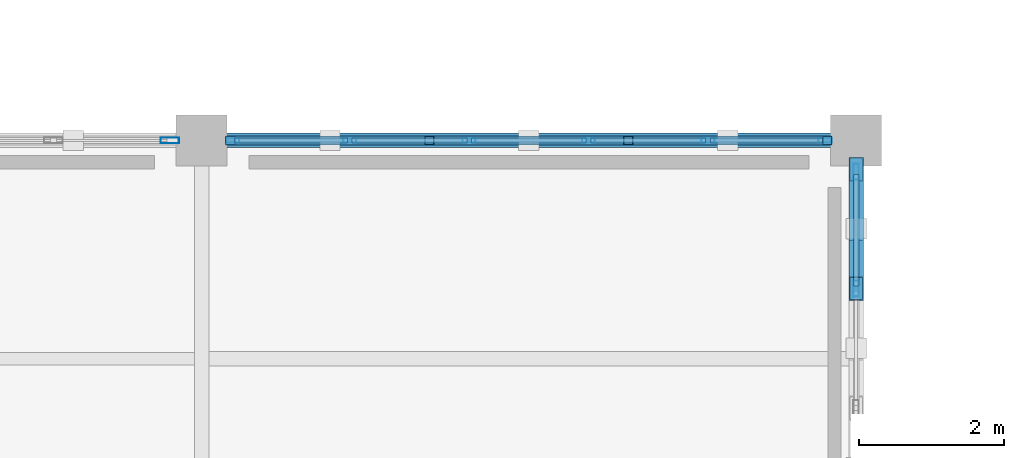
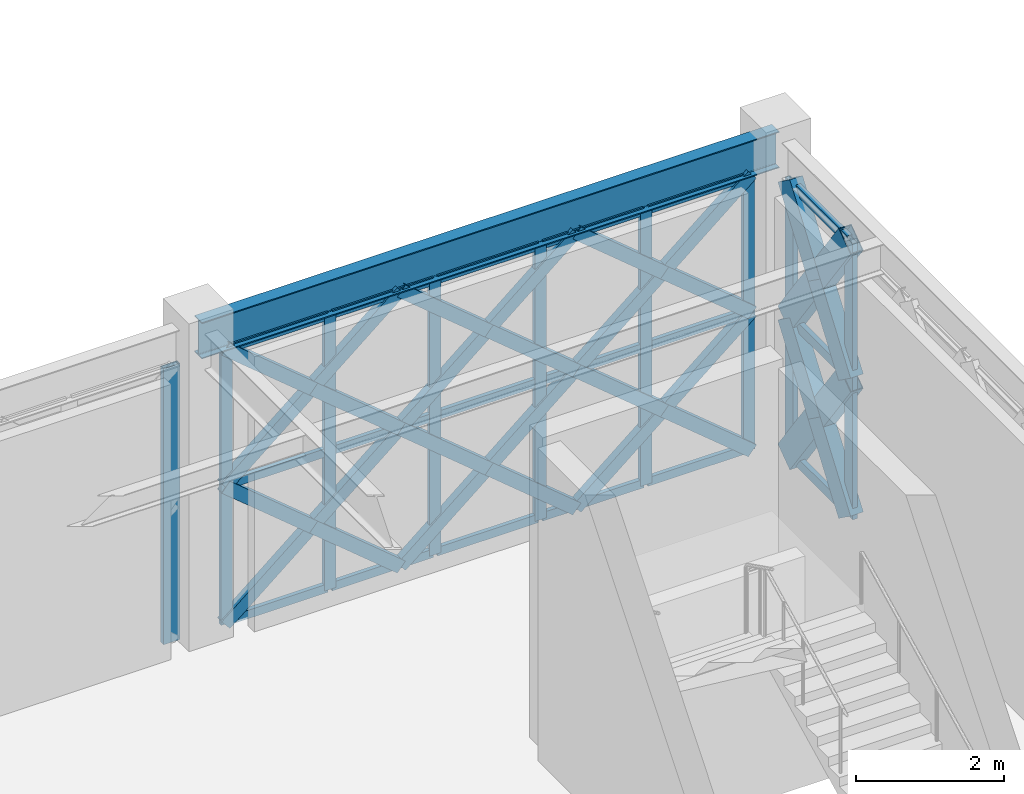
# One storey, part 17 of 72: 51 members, 1 beam, 3 elements without a shape of their own.
"""IFC4 building model written with IfcOpenShell, lengths in metres."""

from ifc_helpers import new_model, si_unit, direction, frame, origin, origin_2d, place, context, subcontext, project, spatial, hollow_rectangle, i_section, extrude, material, material_profile, profile_set, type_object, element, aggregate, save


model = new_model("IFC4")

# Units and contexts
model_context = context("Model", 3, precision=1e-05, world=origin(), true_north=direction((0.0, 1.0)))
body_context = subcontext(model_context, "Body", "Model", "MODEL_VIEW")
ifc_project = project(units=[si_unit("LENGTHUNIT", "METRE"), si_unit("AREAUNIT", "SQUARE_METRE"), si_unit("VOLUMEUNIT", "CUBIC_METRE"), si_unit("PLANEANGLEUNIT", "RADIAN"), si_unit("MASSUNIT", "GRAM", prefix="KILO")], contexts=[model_context])

# Site, building, storey
site_placement = place(None, origin())
site = spatial("IfcSite", under=ifc_project, at=site_placement, CompositionType="ELEMENT")
building_placement = place(site_placement, origin())
building = spatial("IfcBuilding", under=site, at=building_placement, Name="Haizhuo Lancet Aquarium", CompositionType="ELEMENT")
storey_placement = place(building_placement, frame((0.0, 0.0, 21.60009765625)))
storey = spatial("IfcBuildingStorey", under=building, at=storey_placement, Name="L04", CompositionType="ELEMENT", Elevation=21.60009765625)

# Beam
ifc_material_1 = material(Name="Steel S355", Category="steel")
ifc_material_profile_1 = material_profile(ifc_material_1, i_section(OverallWidth=0.199951171875, OverallDepth=0.60009765625, WebThickness=0.010986328125, FlangeThickness=0.01708984375, FilletRadius=0.02197265625, at=origin_2d()), Name="HN 600x200x11x17")
ifc_profile_set_1 = profile_set([ifc_material_profile_1], Name="Steel S355")
beam_type = type_object("IfcBeamType", Name="BM-ST-HN600", PredefinedType="BEAM", material=ifc_profile_set_1)
beam_placement = place(storey_placement, frame((-45.0, -9.0, 4.849853515625), z_axis=(1.0, 0.0, 0.0), x_axis=(0.0, 1.0, 0.0)))
element("IfcBeam", 1, at=beam_placement, inside=storey, type_object=beam_type, Name="L04 V6 primary girder BM-L04-V6-022", PredefinedType="BEAM", context=body_context, shape_type="SweptSolid", body=[
    extrude(i_section(OverallWidth=0.199951171875, OverallDepth=0.60009765625, WebThickness=0.010986328125, FlangeThickness=0.01708984375, FilletRadius=0.02197265625, at=origin_2d()), origin(), (0.0, 0.0, 1.0), 9.0),
])

# Curtain wall, members
ifc_material_2 = material(Name="Aluminium 6063-T6", Category="aluminium")
curtain_wall_type_1 = type_object("IfcCurtainWallType", Name="CWO-8210x4550", PredefinedType="NOTDEFINED", material=ifc_material_2)
curtain_wall_1_placement = place(storey_placement, origin())
curtain_wall_1 = element("IfcCurtainWall", 2, at=curtain_wall_1_placement, inside=storey, type_object=curtain_wall_type_1, Name="L04 curtain wall CW-V6-L04-250", PredefinedType="NOTDEFINED")
ifc_material_profile_2 = material_profile(ifc_material_2, hollow_rectangle(XDim=0.06494140625, YDim=0.179931640625, WallThickness=0.00390625, at=origin_2d()), Name="ALU-M 65x180x4")
ifc_profile_set_2 = profile_set([ifc_material_profile_2], Name="Aluminium 6063-T6")
member_type_1 = type_object("IfcMemberType", Name="CW-MUL-1", PredefinedType="MULLION", material=ifc_profile_set_2)
member_1_placement = place(storey_placement, frame((-44.572021484375, -9.0, 0.0), z_axis=(0.0, 0.0, 1.0), x_axis=(0.0, 1.0, 0.0)))
member_1 = element("IfcMember", 3, at=member_1_placement, type_object=member_type_1, Name="CWO-82x45 mullion 1", PredefinedType="MULLION", context=body_context, shape_type="SweptSolid", body=[
    extrude(hollow_rectangle(XDim=0.06494140625, YDim=0.179931640625, WallThickness=0.00390625, at=origin_2d()), origin(), (0.0, 0.0, 1.0), 4.5498046875),
])
member_2_placement = place(storey_placement, frame((-42.962890625, -9.0, 0.0), z_axis=(0.0, 0.0, 1.0), x_axis=(0.0, 1.0, 0.0)))
member_2 = element("IfcMember", 4, at=member_2_placement, type_object=member_type_1, Name="CWO-82x45 mullion 2", PredefinedType="MULLION", context=body_context, shape_type="SweptSolid", body=[
    extrude(hollow_rectangle(XDim=0.06494140625, YDim=0.179931640625, WallThickness=0.00390625, at=origin_2d()), origin(), (0.0, 0.0, 1.0), 4.5498046875),
])
member_3_placement = place(storey_placement, frame((-41.321044921875, -9.0, 0.0), z_axis=(0.0, 0.0, 1.0), x_axis=(0.0, 1.0, 0.0)))
member_3 = element("IfcMember", 5, at=member_3_placement, type_object=member_type_1, Name="CWO-82x45 mullion 3", PredefinedType="MULLION", context=body_context, shape_type="SweptSolid", body=[
    extrude(hollow_rectangle(XDim=0.06494140625, YDim=0.179931640625, WallThickness=0.00390625, at=origin_2d()), origin(), (0.0, 0.0, 1.0), 4.5498046875),
])
member_4_placement = place(storey_placement, frame((-39.678955078125, -9.0, 0.0), z_axis=(0.0, 0.0, 1.0), x_axis=(0.0, 1.0, 0.0)))
member_4 = element("IfcMember", 6, at=member_4_placement, type_object=member_type_1, Name="CWO-82x45 mullion 4", PredefinedType="MULLION", context=body_context, shape_type="SweptSolid", body=[
    extrude(hollow_rectangle(XDim=0.06494140625, YDim=0.179931640625, WallThickness=0.00390625, at=origin_2d()), origin(), (0.0, 0.0, 1.0), 4.5498046875),
])
member_5_placement = place(storey_placement, frame((-38.037109375, -9.0, 0.0), z_axis=(0.0, 0.0, 1.0), x_axis=(0.0, 1.0, 0.0)))
member_5 = element("IfcMember", 7, at=member_5_placement, type_object=member_type_1, Name="CWO-82x45 mullion 5", PredefinedType="MULLION", context=body_context, shape_type="SweptSolid", body=[
    extrude(hollow_rectangle(XDim=0.06494140625, YDim=0.179931640625, WallThickness=0.00390625, at=origin_2d()), origin(), (0.0, 0.0, 1.0), 4.5498046875),
])
member_6_placement = place(storey_placement, frame((-36.427978515625, -9.0, 0.0), z_axis=(0.0, 0.0, 1.0), x_axis=(0.0, 1.0, 0.0)))
member_6 = element("IfcMember", 8, at=member_6_placement, type_object=member_type_1, Name="CWO-82x45 mullion 6", PredefinedType="MULLION", context=body_context, shape_type="SweptSolid", body=[
    extrude(hollow_rectangle(XDim=0.06494140625, YDim=0.179931640625, WallThickness=0.00390625, at=origin_2d()), origin(), (0.0, 0.0, 1.0), 4.5498046875),
])

curtain_wall_type_2 = type_object("IfcCurtainWallType", Name="CWD-8210x4550", PredefinedType="NOTDEFINED", material=ifc_material_2)
curtain_wall_2_placement = place(storey_placement, origin())
curtain_wall_2 = element("IfcCurtainWall", 9, at=curtain_wall_2_placement, inside=storey, type_object=curtain_wall_type_2, Name="L04 curtain wall CW-V6-L04-251", PredefinedType="NOTDEFINED")
ifc_material_profile_3 = material_profile(ifc_material_2, hollow_rectangle(XDim=0.074951171875, YDim=0.219970703125, WallThickness=0.0048828125, at=origin_2d()), Name="ALU-M 75x220x5")
ifc_profile_set_3 = profile_set([ifc_material_profile_3], Name="Aluminium 6063-T6")
member_type_2 = type_object("IfcMemberType", Name="CW-MUL-2", PredefinedType="MULLION", material=ifc_profile_set_3)
member_7_placement = place(storey_placement, frame((-36.0, -9.431884765625, 0.0), z_axis=(0.0, 0.0, 1.0), x_axis=(1.0, 0.0, 0.0)))
member_7 = element("IfcMember", 10, at=member_7_placement, type_object=member_type_2, Name="CWD-82x45 mullion 1", PredefinedType="MULLION", context=body_context, shape_type="SweptSolid", body=[
    extrude(hollow_rectangle(XDim=0.074951171875, YDim=0.219970703125, WallThickness=0.0048828125, at=origin_2d()), origin(), (0.0, 0.0, 1.0), 4.5498046875),
])
member_8_placement = place(storey_placement, frame((-36.0, -11.037109375, 0.0), z_axis=(0.0, 0.0, 1.0), x_axis=(1.0, 0.0, 0.0)))
member_8 = element("IfcMember", 11, at=member_8_placement, type_object=member_type_2, Name="CWD-82x45 mullion 2", PredefinedType="MULLION", context=body_context, shape_type="SweptSolid", body=[
    extrude(hollow_rectangle(XDim=0.074951171875, YDim=0.219970703125, WallThickness=0.0048828125, at=origin_2d()), origin(), (0.0, 0.0, 1.0), 4.5498046875),
])

# Curtain wall, member
curtain_wall_3_placement = place(storey_placement, origin())
curtain_wall_3 = element("IfcCurtainWall", 12, at=curtain_wall_3_placement, inside=storey, type_object=curtain_wall_type_1, Name="L04 curtain wall CW-V6-L04-249", PredefinedType="NOTDEFINED")
ifc_material_profile_4 = material_profile(ifc_material_2, hollow_rectangle(XDim=0.080078125, YDim=0.260009765625, WallThickness=0.0048828125, at=origin_2d()), Name="ALU-M 80x260x5")
ifc_profile_set_4 = profile_set([ifc_material_profile_4], Name="Aluminium 6063-T6")
member_type_3 = type_object("IfcMemberType", Name="CW-MUL-3", PredefinedType="MULLION", material=ifc_profile_set_4)
member_9_placement = place(storey_placement, frame((-45.43505859375, -9.0, 0.0), z_axis=(0.0, 0.0, 1.0), x_axis=(0.0, 1.0, 0.0)))
member_9 = element("IfcMember", 13, at=member_9_placement, type_object=member_type_3, Name="CWO-82x45 mullion 6", PredefinedType="MULLION", context=body_context, shape_type="SweptSolid", body=[
    extrude(hollow_rectangle(XDim=0.080078125, YDim=0.260009765625, WallThickness=0.0048828125, at=origin_2d()), origin(), (0.0, 0.0, 1.0), 4.5498046875),
])
aggregate(curtain_wall_3, [member_9])

# Member
ifc_material_profile_5 = material_profile(ifc_material_2, hollow_rectangle(XDim=0.06494140625, YDim=0.139892578125, WallThickness=0.00390625, at=origin_2d()), Name="ALU-T 65x140x4")
ifc_profile_set_5 = profile_set([ifc_material_profile_5], Name="Aluminium 6063-T6")
member_type_4 = type_object("IfcMemberType", Name="CW-TRN-1", PredefinedType="NOTDEFINED", material=ifc_profile_set_5)
member_10_placement = place(storey_placement, frame((-44.5400390625, -9.0, 0.032958984375), z_axis=(1.0, 0.0, 0.0), x_axis=(0.0, 1.0, 0.0)))
member_10 = element("IfcMember", 14, at=member_10_placement, type_object=member_type_4, Name="CWO-82x45 transom 1.1", ObjectType="TRANSOM", PredefinedType="USERDEFINED", context=body_context, shape_type="SweptSolid", body=[
    extrude(hollow_rectangle(XDim=0.06494140625, YDim=0.139892578125, WallThickness=0.00390625, at=origin_2d()), origin(), (0.0, 0.0, 1.0), 1.544921875),
])

member_11_placement = place(storey_placement, frame((-44.5400390625, -9.0, 2.27490234375), z_axis=(1.0, 0.0, 0.0), x_axis=(0.0, 1.0, 0.0)))
member_11 = element("IfcMember", 15, at=member_11_placement, type_object=member_type_4, Name="CWO-82x45 transom 1.2", ObjectType="TRANSOM", PredefinedType="USERDEFINED", context=body_context, shape_type="SweptSolid", body=[
    extrude(hollow_rectangle(XDim=0.06494140625, YDim=0.139892578125, WallThickness=0.00390625, at=origin_2d()), origin(), (0.0, 0.0, 1.0), 1.544921875),
])

member_12_placement = place(storey_placement, frame((-44.5400390625, -9.0, 4.516845703125), z_axis=(1.0, 0.0, 0.0), x_axis=(0.0, 1.0, 0.0)))
member_12 = element("IfcMember", 16, at=member_12_placement, type_object=member_type_4, Name="CWO-82x45 transom 1.3", ObjectType="TRANSOM", PredefinedType="USERDEFINED", context=body_context, shape_type="SweptSolid", body=[
    extrude(hollow_rectangle(XDim=0.06494140625, YDim=0.139892578125, WallThickness=0.00390625, at=origin_2d()), origin(), (0.0, 0.0, 1.0), 1.544921875),
])

member_13_placement = place(storey_placement, frame((-42.929931640625, -9.0, 0.032958984375), z_axis=(1.0, 0.0, 0.0), x_axis=(0.0, 1.0, 0.0)))
member_13 = element("IfcMember", 17, at=member_13_placement, type_object=member_type_4, Name="CWO-82x45 transom 2.1", ObjectType="TRANSOM", PredefinedType="USERDEFINED", context=body_context, shape_type="SweptSolid", body=[
    extrude(hollow_rectangle(XDim=0.06494140625, YDim=0.139892578125, WallThickness=0.00390625, at=origin_2d()), origin(), (0.0, 0.0, 1.0), 1.576904296875),
])

member_14_placement = place(storey_placement, frame((-42.929931640625, -9.0, 2.27490234375), z_axis=(1.0, 0.0, 0.0), x_axis=(0.0, 1.0, 0.0)))
member_14 = element("IfcMember", 18, at=member_14_placement, type_object=member_type_4, Name="CWO-82x45 transom 2.2", ObjectType="TRANSOM", PredefinedType="USERDEFINED", context=body_context, shape_type="SweptSolid", body=[
    extrude(hollow_rectangle(XDim=0.06494140625, YDim=0.139892578125, WallThickness=0.00390625, at=origin_2d()), origin(), (0.0, 0.0, 1.0), 1.576904296875),
])

member_15_placement = place(storey_placement, frame((-42.929931640625, -9.0, 4.516845703125), z_axis=(1.0, 0.0, 0.0), x_axis=(0.0, 1.0, 0.0)))
member_15 = element("IfcMember", 19, at=member_15_placement, type_object=member_type_4, Name="CWO-82x45 transom 2.3", ObjectType="TRANSOM", PredefinedType="USERDEFINED", context=body_context, shape_type="SweptSolid", body=[
    extrude(hollow_rectangle(XDim=0.06494140625, YDim=0.139892578125, WallThickness=0.00390625, at=origin_2d()), origin(), (0.0, 0.0, 1.0), 1.576904296875),
])

member_16_placement = place(storey_placement, frame((-41.2880859375, -9.0, 0.032958984375), z_axis=(1.0, 0.0, 0.0), x_axis=(0.0, 1.0, 0.0)))
member_16 = element("IfcMember", 20, at=member_16_placement, type_object=member_type_4, Name="CWO-82x45 transom 3.1", ObjectType="TRANSOM", PredefinedType="USERDEFINED", context=body_context, shape_type="SweptSolid", body=[
    extrude(hollow_rectangle(XDim=0.06494140625, YDim=0.139892578125, WallThickness=0.00390625, at=origin_2d()), origin(), (0.0, 0.0, 1.0), 1.576171875),
])

member_17_placement = place(storey_placement, frame((-41.2880859375, -9.0, 2.27490234375), z_axis=(1.0, 0.0, 0.0), x_axis=(0.0, 1.0, 0.0)))
member_17 = element("IfcMember", 21, at=member_17_placement, type_object=member_type_4, Name="CWO-82x45 transom 3.2", ObjectType="TRANSOM", PredefinedType="USERDEFINED", context=body_context, shape_type="SweptSolid", body=[
    extrude(hollow_rectangle(XDim=0.06494140625, YDim=0.139892578125, WallThickness=0.00390625, at=origin_2d()), origin(), (0.0, 0.0, 1.0), 1.576171875),
])

member_18_placement = place(storey_placement, frame((-41.2880859375, -9.0, 4.516845703125), z_axis=(1.0, 0.0, 0.0), x_axis=(0.0, 1.0, 0.0)))
member_18 = element("IfcMember", 22, at=member_18_placement, type_object=member_type_4, Name="CWO-82x45 transom 3.3", ObjectType="TRANSOM", PredefinedType="USERDEFINED", context=body_context, shape_type="SweptSolid", body=[
    extrude(hollow_rectangle(XDim=0.06494140625, YDim=0.139892578125, WallThickness=0.00390625, at=origin_2d()), origin(), (0.0, 0.0, 1.0), 1.576171875),
])

member_19_placement = place(storey_placement, frame((-39.64697265625, -9.0, 0.032958984375), z_axis=(1.0, 0.0, 0.0), x_axis=(0.0, 1.0, 0.0)))
member_19 = element("IfcMember", 23, at=member_19_placement, type_object=member_type_4, Name="CWO-82x45 transom 4.1", ObjectType="TRANSOM", PredefinedType="USERDEFINED", context=body_context, shape_type="SweptSolid", body=[
    extrude(hollow_rectangle(XDim=0.06494140625, YDim=0.139892578125, WallThickness=0.00390625, at=origin_2d()), origin(), (0.0, 0.0, 1.0), 1.576904296875),
])

member_20_placement = place(storey_placement, frame((-39.64697265625, -9.0, 2.27490234375), z_axis=(1.0, 0.0, 0.0), x_axis=(0.0, 1.0, 0.0)))
member_20 = element("IfcMember", 24, at=member_20_placement, type_object=member_type_4, Name="CWO-82x45 transom 4.2", ObjectType="TRANSOM", PredefinedType="USERDEFINED", context=body_context, shape_type="SweptSolid", body=[
    extrude(hollow_rectangle(XDim=0.06494140625, YDim=0.139892578125, WallThickness=0.00390625, at=origin_2d()), origin(), (0.0, 0.0, 1.0), 1.576904296875),
])

member_21_placement = place(storey_placement, frame((-39.64697265625, -9.0, 4.516845703125), z_axis=(1.0, 0.0, 0.0), x_axis=(0.0, 1.0, 0.0)))
member_21 = element("IfcMember", 25, at=member_21_placement, type_object=member_type_4, Name="CWO-82x45 transom 4.3", ObjectType="TRANSOM", PredefinedType="USERDEFINED", context=body_context, shape_type="SweptSolid", body=[
    extrude(hollow_rectangle(XDim=0.06494140625, YDim=0.139892578125, WallThickness=0.00390625, at=origin_2d()), origin(), (0.0, 0.0, 1.0), 1.576904296875),
])

member_22_placement = place(storey_placement, frame((-38.0048828125, -9.0, 0.032958984375), z_axis=(1.0, 0.0, 0.0), x_axis=(0.0, 1.0, 0.0)))
member_22 = element("IfcMember", 26, at=member_22_placement, type_object=member_type_4, Name="CWO-82x45 transom 5.1", ObjectType="TRANSOM", PredefinedType="USERDEFINED", context=body_context, shape_type="SweptSolid", body=[
    extrude(hollow_rectangle(XDim=0.06494140625, YDim=0.139892578125, WallThickness=0.00390625, at=origin_2d()), origin(), (0.0, 0.0, 1.0), 1.544921875),
])

member_23_placement = place(storey_placement, frame((-38.0048828125, -9.0, 2.27490234375), z_axis=(1.0, 0.0, 0.0), x_axis=(0.0, 1.0, 0.0)))
member_23 = element("IfcMember", 27, at=member_23_placement, type_object=member_type_4, Name="CWO-82x45 transom 5.2", ObjectType="TRANSOM", PredefinedType="USERDEFINED", context=body_context, shape_type="SweptSolid", body=[
    extrude(hollow_rectangle(XDim=0.06494140625, YDim=0.139892578125, WallThickness=0.00390625, at=origin_2d()), origin(), (0.0, 0.0, 1.0), 1.544921875),
])

member_24_placement = place(storey_placement, frame((-38.0048828125, -9.0, 4.516845703125), z_axis=(1.0, 0.0, 0.0), x_axis=(0.0, 1.0, 0.0)))
member_24 = element("IfcMember", 28, at=member_24_placement, type_object=member_type_4, Name="CWO-82x45 transom 5.3", ObjectType="TRANSOM", PredefinedType="USERDEFINED", context=body_context, shape_type="SweptSolid", body=[
    extrude(hollow_rectangle(XDim=0.06494140625, YDim=0.139892578125, WallThickness=0.00390625, at=origin_2d()), origin(), (0.0, 0.0, 1.0), 1.544921875),
])

aggregate(curtain_wall_1, [member_1, member_2, member_3, member_4, member_5, member_6, member_10, member_11, member_12, member_13, member_14, member_15, member_16, member_17, member_18, member_19, member_20, member_21, member_22, member_23, member_24])

ifc_material_profile_6 = material_profile(ifc_material_2, hollow_rectangle(XDim=0.074951171875, YDim=0.159912109375, WallThickness=0.00390625, at=origin_2d()), Name="ALU-T 75x160x4")
ifc_profile_set_6 = profile_set([ifc_material_profile_6], Name="Aluminium 6063-T6")
member_type_5 = type_object("IfcMemberType", Name="CW-TRN-2", PredefinedType="NOTDEFINED", material=ifc_profile_set_6)
member_25_placement = place(storey_placement, frame((-36.0, -9.469970703125, 0.037841796875), z_axis=(0.0, -1.0, 0.0), x_axis=(1.0, 0.0, 0.0)))
member_25 = element("IfcMember", 29, at=member_25_placement, type_object=member_type_5, Name="CWD-82x45 transom 1.1", ObjectType="TRANSOM", PredefinedType="USERDEFINED", context=body_context, shape_type="SweptSolid", body=[
    extrude(hollow_rectangle(XDim=0.074951171875, YDim=0.159912109375, WallThickness=0.00390625, at=origin_2d()), origin(), (0.0, 0.0, 1.0), 1.529052734375),
])

member_26_placement = place(storey_placement, frame((-36.0, -9.469970703125, 2.27490234375), z_axis=(0.0, -1.0, 0.0), x_axis=(1.0, 0.0, 0.0)))
member_26 = element("IfcMember", 30, at=member_26_placement, type_object=member_type_5, Name="CWD-82x45 transom 1.2", ObjectType="TRANSOM", PredefinedType="USERDEFINED", context=body_context, shape_type="SweptSolid", body=[
    extrude(hollow_rectangle(XDim=0.074951171875, YDim=0.159912109375, WallThickness=0.00390625, at=origin_2d()), origin(), (0.0, 0.0, 1.0), 1.529052734375),
])

member_27_placement = place(storey_placement, frame((-36.0, -9.469970703125, 4.511962890625), z_axis=(0.0, -1.0, 0.0), x_axis=(1.0, 0.0, 0.0)))
member_27 = element("IfcMember", 31, at=member_27_placement, type_object=member_type_5, Name="CWD-82x45 transom 1.3", ObjectType="TRANSOM", PredefinedType="USERDEFINED", context=body_context, shape_type="SweptSolid", body=[
    extrude(hollow_rectangle(XDim=0.074951171875, YDim=0.159912109375, WallThickness=0.00390625, at=origin_2d()), origin(), (0.0, 0.0, 1.0), 1.529052734375),
])

aggregate(curtain_wall_2, [member_7, member_8, member_25, member_26, member_27])

# Members
ifc_material_profile_7 = material_profile(ifc_material_1, hollow_rectangle(XDim=0.1201171875, YDim=0.199951171875, WallThickness=0.008056640625, at=origin_2d()), Name="RHS 120x200x8")
ifc_profile_set_7 = profile_set([ifc_material_profile_7], Name="Steel S355")
member_type_6 = type_object("IfcMemberType", Name="MEM-LB-RHS120x200", PredefinedType="BRACE", material=ifc_profile_set_7)
member_28_placement = place(storey_placement, frame((-44.60498046875, -9.0, 0.0), z_axis=(0.769047183609, 0.0, 0.639192012922), x_axis=(0.0, 1.0, 0.0)))
element("IfcMember", 32, at=member_28_placement, inside=storey, type_object=member_type_6, Name="Gothic lancet continuous diagonal brace CW-V6-L04-250 1A", PredefinedType="BRACE", context=body_context, shape_type="SweptSolid", body=[
    extrude(hollow_rectangle(XDim=0.1201171875, YDim=0.199951171875, WallThickness=0.008056640625, at=origin_2d()), origin(), (0.0, 0.0, 1.0), 3.55908203125),
])
for number, where, z_axis, x_axis, name in (
    (33, (-41.867919921875, -9.0, 0.0), (-0.768828180601, 0.0, 0.639455415736), (0.0, -1.0, 0.0), "Gothic lancet split diagonal brace CW-V6-L04-250 1B1"),
    (34, (-43.236083984375, -9.0, 1.137939453125), (-0.76926610387, 0.0, 0.638928526078), (0.0, -1.0, 0.0), "Gothic lancet split diagonal brace CW-V6-L04-250 1B2"),
):
    element("IfcMember", number, at=place(storey_placement, frame(where, z_axis=z_axis, x_axis=x_axis)), inside=storey, type_object=member_type_6, Name=name, PredefinedType="BRACE", context=body_context, shape_type="SweptSolid", body=[
        extrude(hollow_rectangle(XDim=0.1201171875, YDim=0.199951171875, WallThickness=0.008056640625, at=origin_2d()), origin(), (0.0, 0.0, 1.0), 1.779541015625),
    ])
member_29_placement = place(storey_placement, frame((-44.60498046875, -9.0, 2.27490234375), z_axis=(0.769047183609, 0.0, 0.639192012922), x_axis=(0.0, 1.0, 0.0)))
element("IfcMember", 35, at=member_29_placement, inside=storey, type_object=member_type_6, Name="Gothic lancet continuous diagonal brace CW-V6-L04-250 2A", PredefinedType="BRACE", context=body_context, shape_type="SweptSolid", body=[
    extrude(hollow_rectangle(XDim=0.1201171875, YDim=0.199951171875, WallThickness=0.008056640625, at=origin_2d()), origin(), (0.0, 0.0, 1.0), 3.55908203125),
])
member_30_placement = place(storey_placement, frame((-41.867919921875, -9.0, 2.27490234375), z_axis=(-0.769097999835, 0.0, 0.639130868171), x_axis=(0.0, -1.0, 0.0)))
element("IfcMember", 36, at=member_30_placement, inside=storey, type_object=member_type_6, Name="Gothic lancet split diagonal brace CW-V6-L04-250 2B1", PredefinedType="BRACE", context=body_context, shape_type="SweptSolid", body=[
    extrude(hollow_rectangle(XDim=0.1201171875, YDim=0.199951171875, WallThickness=0.008056640625, at=origin_2d()), origin(), (0.0, 0.0, 1.0), 1.77880859375),
])
member_31_placement = place(storey_placement, frame((-43.236083984375, -9.0, 3.411865234375), z_axis=(-0.768996396425, 0.0, 0.639253112848), x_axis=(0.0, -1.0, 0.0)))
element("IfcMember", 37, at=member_31_placement, inside=storey, type_object=member_type_6, Name="Gothic lancet split diagonal brace CW-V6-L04-250 2B2", PredefinedType="BRACE", context=body_context, shape_type="SweptSolid", body=[
    extrude(hollow_rectangle(XDim=0.1201171875, YDim=0.199951171875, WallThickness=0.008056640625, at=origin_2d()), origin(), (0.0, 0.0, 1.0), 1.780029296875),
])
member_32_placement = place(storey_placement, frame((-41.867919921875, -9.0, 0.0), z_axis=(0.768906994858, 0.0, 0.639360644127), x_axis=(0.0, 1.0, 0.0)))
element("IfcMember", 38, at=member_32_placement, inside=storey, type_object=member_type_6, Name="Gothic lancet continuous diagonal brace CW-V6-L04-250 3A", PredefinedType="BRACE", context=body_context, shape_type="SweptSolid", body=[
    extrude(hollow_rectangle(XDim=0.1201171875, YDim=0.199951171875, WallThickness=0.008056640625, at=origin_2d()), origin(), (0.0, 0.0, 1.0), 3.55810546875),
])
member_33_placement = place(storey_placement, frame((-39.132080078125, -9.0, 0.0), z_axis=(-0.768772073165, 0.0, 0.639522868646), x_axis=(0.0, -1.0, 0.0)))
element("IfcMember", 39, at=member_33_placement, inside=storey, type_object=member_type_6, Name="Gothic lancet split diagonal brace CW-V6-L04-250 3B1", PredefinedType="BRACE", context=body_context, shape_type="SweptSolid", body=[
    extrude(hollow_rectangle(XDim=0.1201171875, YDim=0.199951171875, WallThickness=0.008056640625, at=origin_2d()), origin(), (0.0, 0.0, 1.0), 1.779296875),
])
member_34_placement = place(storey_placement, frame((-40.5, -9.0, 1.137939453125), z_axis=(-0.769041929661, 0.0, 0.639198334184), x_axis=(0.0, -1.0, 0.0)))
element("IfcMember", 40, at=member_34_placement, inside=storey, type_object=member_type_6, Name="Gothic lancet split diagonal brace CW-V6-L04-250 3B2", PredefinedType="BRACE", context=body_context, shape_type="SweptSolid", body=[
    extrude(hollow_rectangle(XDim=0.1201171875, YDim=0.199951171875, WallThickness=0.008056640625, at=origin_2d()), origin(), (0.0, 0.0, 1.0), 1.77880859375),
])
member_35_placement = place(storey_placement, frame((-41.867919921875, -9.0, 2.27490234375), z_axis=(0.768906994858, 0.0, 0.639360644127), x_axis=(0.0, 1.0, 0.0)))
element("IfcMember", 41, at=member_35_placement, inside=storey, type_object=member_type_6, Name="Gothic lancet continuous diagonal brace CW-V6-L04-250 4A", PredefinedType="BRACE", context=body_context, shape_type="SweptSolid", body=[
    extrude(hollow_rectangle(XDim=0.1201171875, YDim=0.199951171875, WallThickness=0.008056640625, at=origin_2d()), origin(), (0.0, 0.0, 1.0), 3.55810546875),
])
member_36_placement = place(storey_placement, frame((-39.132080078125, -9.0, 2.27490234375), z_axis=(-0.769041929661, 0.0, 0.639198334184), x_axis=(0.0, -1.0, 0.0)))
element("IfcMember", 42, at=member_36_placement, inside=storey, type_object=member_type_6, Name="Gothic lancet split diagonal brace CW-V6-L04-250 4B1", PredefinedType="BRACE", context=body_context, shape_type="SweptSolid", body=[
    extrude(hollow_rectangle(XDim=0.1201171875, YDim=0.199951171875, WallThickness=0.008056640625, at=origin_2d()), origin(), (0.0, 0.0, 1.0), 1.77880859375),
])
member_37_placement = place(storey_placement, frame((-40.5, -9.0, 3.411865234375), z_axis=(-0.768772073165, 0.0, 0.639522868646), x_axis=(0.0, -1.0, 0.0)))
element("IfcMember", 43, at=member_37_placement, inside=storey, type_object=member_type_6, Name="Gothic lancet split diagonal brace CW-V6-L04-250 4B2", PredefinedType="BRACE", context=body_context, shape_type="SweptSolid", body=[
    extrude(hollow_rectangle(XDim=0.1201171875, YDim=0.199951171875, WallThickness=0.008056640625, at=origin_2d()), origin(), (0.0, 0.0, 1.0), 1.779296875),
])
member_38_placement = place(storey_placement, frame((-39.132080078125, -9.0, 0.0), z_axis=(0.769047183609, 0.0, 0.639192012922), x_axis=(0.0, 1.0, 0.0)))
element("IfcMember", 44, at=member_38_placement, inside=storey, type_object=member_type_6, Name="Gothic lancet continuous diagonal brace CW-V6-L04-250 5A", PredefinedType="BRACE", context=body_context, shape_type="SweptSolid", body=[
    extrude(hollow_rectangle(XDim=0.1201171875, YDim=0.199951171875, WallThickness=0.008056640625, at=origin_2d()), origin(), (0.0, 0.0, 1.0), 3.55908203125),
])
member_39_placement = place(storey_placement, frame((-36.39501953125, -9.0, 0.0), z_axis=(-0.768996396425, 0.0, 0.639253112848), x_axis=(0.0, -1.0, 0.0)))
element("IfcMember", 45, at=member_39_placement, inside=storey, type_object=member_type_6, Name="Gothic lancet split diagonal brace CW-V6-L04-250 5B1", PredefinedType="BRACE", context=body_context, shape_type="SweptSolid", body=[
    extrude(hollow_rectangle(XDim=0.1201171875, YDim=0.199951171875, WallThickness=0.008056640625, at=origin_2d()), origin(), (0.0, 0.0, 1.0), 1.780029296875),
])
member_40_placement = place(storey_placement, frame((-37.763916015625, -9.0, 1.137939453125), z_axis=(-0.769097999835, 0.0, 0.639130868171), x_axis=(0.0, -1.0, 0.0)))
element("IfcMember", 46, at=member_40_placement, inside=storey, type_object=member_type_6, Name="Gothic lancet split diagonal brace CW-V6-L04-250 5B2", PredefinedType="BRACE", context=body_context, shape_type="SweptSolid", body=[
    extrude(hollow_rectangle(XDim=0.1201171875, YDim=0.199951171875, WallThickness=0.008056640625, at=origin_2d()), origin(), (0.0, 0.0, 1.0), 1.77880859375),
])
member_41_placement = place(storey_placement, frame((-39.132080078125, -9.0, 2.27490234375), z_axis=(0.769047183609, 0.0, 0.639192012922), x_axis=(0.0, 1.0, 0.0)))
element("IfcMember", 47, at=member_41_placement, inside=storey, type_object=member_type_6, Name="Gothic lancet continuous diagonal brace CW-V6-L04-250 6A", PredefinedType="BRACE", context=body_context, shape_type="SweptSolid", body=[
    extrude(hollow_rectangle(XDim=0.1201171875, YDim=0.199951171875, WallThickness=0.008056640625, at=origin_2d()), origin(), (0.0, 0.0, 1.0), 3.55908203125),
])
for number, where, z_axis, x_axis, name in (
    (48, (-36.39501953125, -9.0, 2.27490234375), (-0.76926610387, 0.0, 0.638928526078), (0.0, -1.0, 0.0), "Gothic lancet split diagonal brace CW-V6-L04-250 6B1"),
    (49, (-37.763916015625, -9.0, 3.411865234375), (-0.768828180601, 0.0, 0.639455415736), (0.0, -1.0, 0.0), "Gothic lancet split diagonal brace CW-V6-L04-250 6B2"),
):
    element("IfcMember", number, at=place(storey_placement, frame(where, z_axis=z_axis, x_axis=x_axis)), inside=storey, type_object=member_type_6, Name=name, PredefinedType="BRACE", context=body_context, shape_type="SweptSolid", body=[
        extrude(hollow_rectangle(XDim=0.1201171875, YDim=0.199951171875, WallThickness=0.008056640625, at=origin_2d()), origin(), (0.0, 0.0, 1.0), 1.779541015625),
    ])
ifc_material_profile_8 = material_profile(ifc_material_1, hollow_rectangle(XDim=0.199951171875, YDim=0.39990234375, WallThickness=0.011962890625, at=origin_2d()), Name="RHS 200x400x12")
ifc_profile_set_8 = profile_set([ifc_material_profile_8], Name="Steel S355")
member_type_7 = type_object("IfcMemberType", Name="MEM-LB-RHS200x400", PredefinedType="BRACE", material=ifc_profile_set_8)
member_42_placement = place(storey_placement, frame((-36.0, -9.39501953125, 0.0), z_axis=(0.0, -0.585280844621, 0.810830643797), x_axis=(1.0, 0.0, 0.0)))
element("IfcMember", 50, at=member_42_placement, inside=storey, type_object=member_type_7, Name="Gothic lancet continuous diagonal brace CW-V6-L04-251 1A", PredefinedType="BRACE", context=body_context, shape_type="SweptSolid", body=[
    extrude(hollow_rectangle(XDim=0.199951171875, YDim=0.39990234375, WallThickness=0.011962890625, at=origin_2d()), origin(), (0.0, 0.0, 1.0), 2.8056640625),
])
member_43_placement = place(storey_placement, frame((-36.0, -11.037109375, 0.0), z_axis=(0.0, 0.585115697402, 0.810949826224), x_axis=(-1.0, 0.0, 0.0)))
element("IfcMember", 51, at=member_43_placement, inside=storey, type_object=member_type_7, Name="Gothic lancet split diagonal brace CW-V6-L04-251 1B1", PredefinedType="BRACE", context=body_context, shape_type="SweptSolid", body=[
    extrude(hollow_rectangle(XDim=0.199951171875, YDim=0.39990234375, WallThickness=0.011962890625, at=origin_2d()), origin(), (0.0, 0.0, 1.0), 1.4033203125),
])
member_44_placement = place(storey_placement, frame((-36.0, -10.216064453125, 1.137939453125), z_axis=(0.0, 0.585446060787, 0.810711360417), x_axis=(-1.0, 0.0, 0.0)))
element("IfcMember", 52, at=member_44_placement, inside=storey, type_object=member_type_7, Name="Gothic lancet split diagonal brace CW-V6-L04-251 1B2", PredefinedType="BRACE", context=body_context, shape_type="SweptSolid", body=[
    extrude(hollow_rectangle(XDim=0.199951171875, YDim=0.39990234375, WallThickness=0.011962890625, at=origin_2d()), origin(), (0.0, 0.0, 1.0), 1.40234375),
])
member_45_placement = place(storey_placement, frame((-36.0, -9.39501953125, 2.27490234375), z_axis=(0.0, -0.585280844621, 0.810830643797), x_axis=(1.0, 0.0, 0.0)))
element("IfcMember", 53, at=member_45_placement, inside=storey, type_object=member_type_7, Name="Gothic lancet continuous diagonal brace CW-V6-L04-251 2A", PredefinedType="BRACE", context=body_context, shape_type="SweptSolid", body=[
    extrude(hollow_rectangle(XDim=0.199951171875, YDim=0.39990234375, WallThickness=0.011962890625, at=origin_2d()), origin(), (0.0, 0.0, 1.0), 2.8056640625),
])
member_46_placement = place(storey_placement, frame((-36.0, -11.037109375, 2.27490234375), z_axis=(0.0, 0.585446060787, 0.810711360417), x_axis=(-1.0, 0.0, 0.0)))
element("IfcMember", 54, at=member_46_placement, inside=storey, type_object=member_type_7, Name="Gothic lancet split diagonal brace CW-V6-L04-251 2B1", PredefinedType="BRACE", context=body_context, shape_type="SweptSolid", body=[
    extrude(hollow_rectangle(XDim=0.199951171875, YDim=0.39990234375, WallThickness=0.011962890625, at=origin_2d()), origin(), (0.0, 0.0, 1.0), 1.40234375),
])
member_47_placement = place(storey_placement, frame((-36.0, -10.216064453125, 3.411865234375), z_axis=(0.0, 0.585115697402, 0.810949826224), x_axis=(-1.0, 0.0, 0.0)))
element("IfcMember", 55, at=member_47_placement, inside=storey, type_object=member_type_7, Name="Gothic lancet split diagonal brace CW-V6-L04-251 2B2", PredefinedType="BRACE", context=body_context, shape_type="SweptSolid", body=[
    extrude(hollow_rectangle(XDim=0.199951171875, YDim=0.39990234375, WallThickness=0.011962890625, at=origin_2d()), origin(), (0.0, 0.0, 1.0), 1.4033203125),
])

save(model, "model.ifc")
